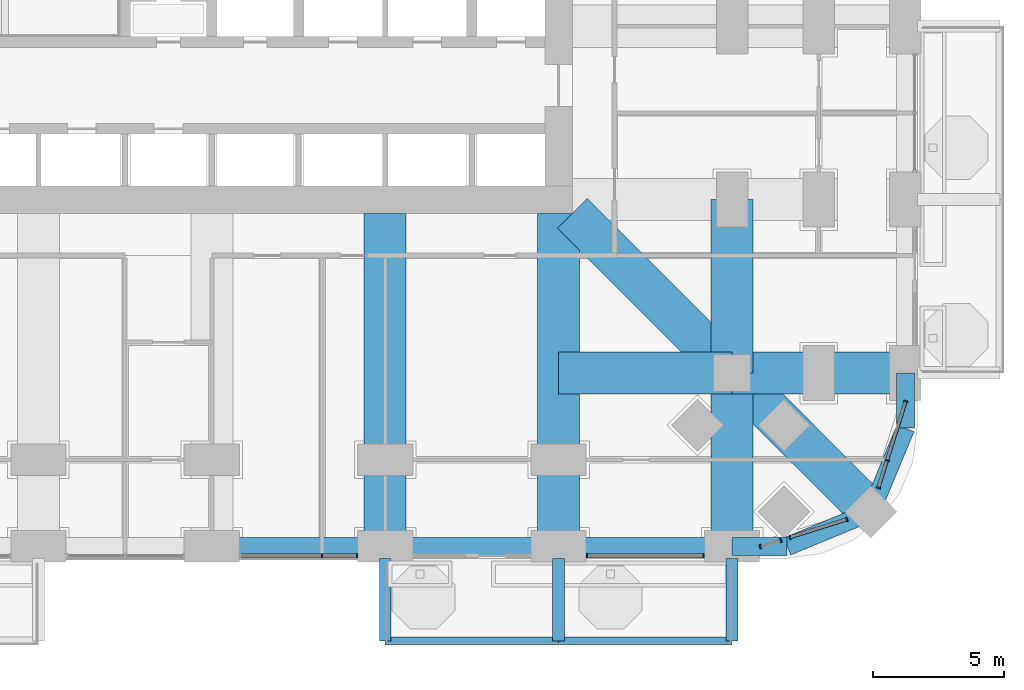
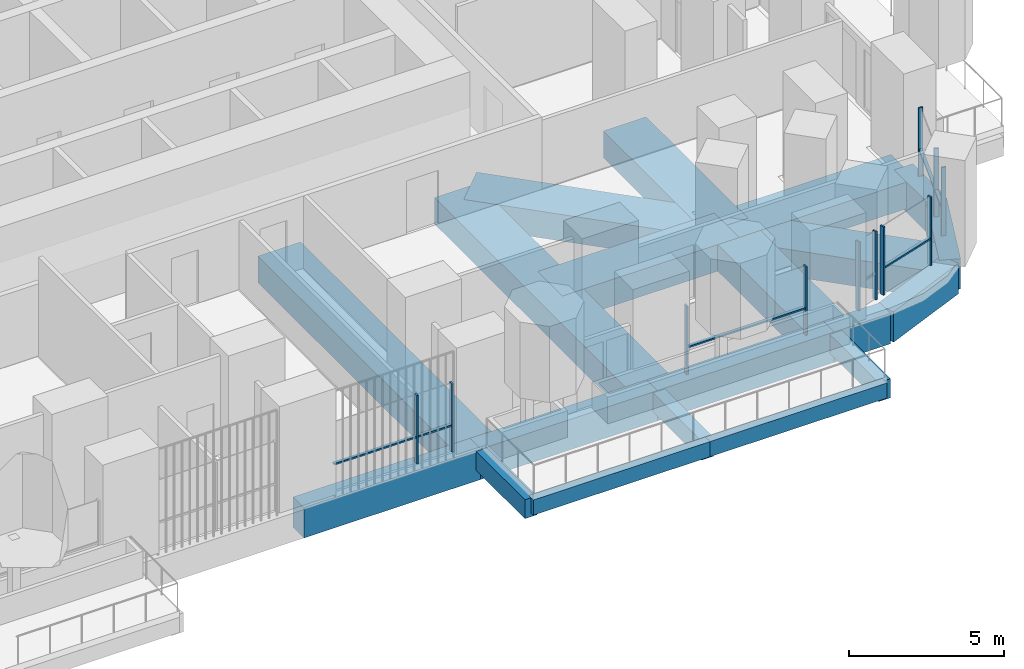
# One storey, part 5 of 27: 20 beams, 17 members, 5 elements without a shape of their own.
"""IFC4 building model written with IfcOpenShell, lengths in metres."""

from ifc_helpers import new_model, si_unit, direction, frame, origin, origin_2d, place, context, subcontext, project, spatial, rectangle, extrude, material, material_profile, profile_set, type_object, element, aggregate, save


model = new_model("IFC4")

# Units and contexts
model_context = context("Model", 3, precision=1e-05, world=origin(), true_north=direction((0.0, 1.0)))
body_context = subcontext(model_context, "Body", "Model", "MODEL_VIEW")
ifc_project = project(units=[si_unit("LENGTHUNIT", "METRE"), si_unit("AREAUNIT", "SQUARE_METRE"), si_unit("VOLUMEUNIT", "CUBIC_METRE"), si_unit("PLANEANGLEUNIT", "RADIAN"), si_unit("MASSUNIT", "GRAM", prefix="KILO")], contexts=[model_context])

# Site, building, storey
site_placement = place(None, origin())
site = spatial("IfcSite", under=ifc_project, at=site_placement, CompositionType="ELEMENT")
building_placement = place(site_placement, origin())
building = spatial("IfcBuilding", under=site, at=building_placement, Name="Cobogo Forest Laboratory Tower", CompositionType="ELEMENT")
storey_placement = place(building_placement, frame((0.0, 0.0, 54.89990234375)))
storey = spatial("IfcBuildingStorey", under=building, at=storey_placement, Name="L12", CompositionType="ELEMENT", Elevation=54.89990234375)

# Beams
ifc_material_1 = material(Name="Concrete HA-40 (C40/50)", Category="concrete")
ifc_material_profile_1 = material_profile(ifc_material_1, rectangle(XDim=0.449951171875, YDim=0.75, at=origin_2d()), Name="RC 450x750")
ifc_profile_set_1 = profile_set([ifc_material_profile_1], Name="Concrete HA-40 (C40/50)")
beam_type_1 = type_object("IfcBeamType", Name="Balcony cantilever beam 450x750", PredefinedType="BEAM", material=ifc_profile_set_1)
for number, where, z_axis, x_axis, name in (
    (1, (33.0, -0.449951171875, -0.625), (0.0, -1.0, 0.0), (1.0, 0.0, 0.0), "CB1 BAL-S2-C1 L12"),
    (2, (39.60009765625, -0.449951171875, -0.625), (0.0, -1.0, 0.0), (1.0, 0.0, 0.0), "CB1 BAL-S2-C2 L12"),
    (3, (46.199951171875, -0.449951171875, -0.625), (0.0, -1.0, 0.0), (1.0, 0.0, 0.0), "CB1 BAL-S2-C3 L12"),
):
    element("IfcBeam", number, at=place(storey_placement, frame(where, z_axis=z_axis, x_axis=x_axis)), inside=storey, type_object=beam_type_1, Name=name, PredefinedType="BEAM", context=body_context, shape_type="SweptSolid", body=[
        extrude(rectangle(XDim=0.449951171875, YDim=0.75, at=origin_2d()), origin(), (0.0, 0.0, 1.0), 3.150146484375),
    ])
ifc_material_profile_2 = material_profile(ifc_material_1, rectangle(XDim=0.300048828125, YDim=0.60009765625, at=origin_2d()), Name="RC 300x600")
ifc_profile_set_2 = profile_set([ifc_material_profile_2], Name="Concrete HA-40 (C40/50)")
beam_type_2 = type_object("IfcBeamType", Name="Balcony edge beam 300x600", PredefinedType="BEAM", material=ifc_profile_set_2)
beam_1_placement = place(storey_placement, frame((33.0, -3.60009765625, -0.5498046875), z_axis=(1.0, 0.0, 0.0), x_axis=(0.0, 1.0, 0.0)))
element("IfcBeam", 4, at=beam_1_placement, inside=storey, type_object=beam_type_2, Name="BB1 BAL-S2-T1 L12", PredefinedType="BEAM", context=body_context, shape_type="SweptSolid", body=[
    extrude(rectangle(XDim=0.300048828125, YDim=0.60009765625, at=origin_2d()), origin(), (0.0, 0.0, 1.0), 6.60009765625),
])
beam_2_placement = place(storey_placement, frame((39.60009765625, -3.60009765625, -0.5498046875), z_axis=(1.0, 0.0, 0.0), x_axis=(0.0, 1.0, 0.0)))
element("IfcBeam", 5, at=beam_2_placement, inside=storey, type_object=beam_type_2, Name="BB1 BAL-S2-T2 L12", PredefinedType="BEAM", context=body_context, shape_type="SweptSolid", body=[
    extrude(rectangle(XDim=0.300048828125, YDim=0.60009765625, at=origin_2d()), origin(), (0.0, 0.0, 1.0), 6.599853515625),
])
ifc_material_2 = material(Name="Concrete HA-50 (C50/60)", Category="concrete")
ifc_material_profile_3 = material_profile(ifc_material_2, rectangle(XDim=1.60009765625, YDim=1.050048828125, at=origin_2d()), Name="RC 1600x1050")
ifc_profile_set_3 = profile_set([ifc_material_profile_3], Name="Concrete HA-50 (C50/60)")
beam_type_3 = type_object("IfcBeamType", Name="Laboratory floor wide beam 1600x1050", PredefinedType="BEAM", material=ifc_profile_set_3)
for number, where, z_axis, x_axis, name in (
    (6, (33.0, 12.675048828125, -0.824951171875), (0.0, -1.0, 0.0), (1.0, 0.0, 0.0), "RB8 R-6-S L12"),
    (7, (39.60009765625, 12.675048828125, -0.824951171875), (0.0, -1.0, 0.0), (1.0, 0.0, 0.0), "RB8 R-7-S L12"),
):
    element("IfcBeam", number, at=place(storey_placement, frame(where, z_axis=z_axis, x_axis=x_axis)), inside=storey, type_object=beam_type_3, Name=name, PredefinedType="BEAM", context=body_context, shape_type="SweptSolid", body=[
        extrude(rectangle(XDim=1.60009765625, YDim=1.050048828125, at=origin_2d()), origin(), (0.0, 0.0, 1.0), 12.675048828125),
    ])
beam_3_placement = place(storey_placement, frame((46.199951171875, 0.0, -0.824951171875), z_axis=(0.0, 1.0, 0.0), x_axis=(-1.0, 0.0, 0.0)))
element("IfcBeam", 8, at=beam_3_placement, inside=storey, type_object=beam_type_3, Name="RB8 G-SE-XF L12", PredefinedType="BEAM", context=body_context, shape_type="SweptSolid", body=[
    extrude(rectangle(XDim=1.60009765625, YDim=1.050048828125, at=origin_2d()), origin(), (0.0, 0.0, 1.0), 6.60009765625),
])
beam_4_placement = place(storey_placement, frame((46.199951171875, 6.60009765625, -0.824951171875), z_axis=(0.0, 1.0, 0.0), x_axis=(-1.0, 0.0, 0.0)))
element("IfcBeam", 9, at=beam_4_placement, inside=storey, type_object=beam_type_3, Name="RB8 G-SE-XC L12", PredefinedType="BEAM", context=body_context, shape_type="SweptSolid", body=[
    extrude(rectangle(XDim=1.60009765625, YDim=1.050048828125, at=origin_2d()), origin(), (0.0, 0.0, 1.0), 6.599853515625),
])
beam_5_placement = place(storey_placement, frame((52.800048828125, 6.60009765625, -0.824951171875), z_axis=(-1.0, 0.0, 0.0), x_axis=(0.0, -1.0, 0.0)))
element("IfcBeam", 10, at=beam_5_placement, inside=storey, type_object=beam_type_3, Name="RB8 G-SE-YF L12", PredefinedType="BEAM", context=body_context, shape_type="SweptSolid", body=[
    extrude(rectangle(XDim=1.60009765625, YDim=1.050048828125, at=origin_2d()), origin(), (0.0, 0.0, 1.0), 6.60009765625),
])
beam_6_placement = place(storey_placement, frame((46.199951171875, 6.60009765625, -0.824951171875), z_axis=(-1.0, 0.0, 0.0), x_axis=(0.0, -1.0, 0.0)))
element("IfcBeam", 11, at=beam_6_placement, inside=storey, type_object=beam_type_3, Name="RB8 G-SE-YC L12", PredefinedType="BEAM", context=body_context, shape_type="SweptSolid", body=[
    extrude(rectangle(XDim=1.60009765625, YDim=1.050048828125, at=origin_2d()), origin(), (0.0, 0.0, 1.0), 6.599853515625),
])
beam_7_placement = place(storey_placement, frame((51.48193359375, 1.318115234375, -0.824951171875), z_axis=(-0.707106781187, 0.707106781187, 0.0), x_axis=(-0.707106781187, -0.707106781187, 0.0)))
element("IfcBeam", 12, at=beam_7_placement, inside=storey, type_object=beam_type_3, Name="RB8 G-SE-D1 L12", PredefinedType="BEAM", context=body_context, shape_type="SweptSolid", body=[
    extrude(rectangle(XDim=1.60009765625, YDim=1.050048828125, at=origin_2d()), origin(), (0.0, 0.0, 1.0), 7.469970703125),
])
beam_8_placement = place(storey_placement, frame((46.199951171875, 6.60009765625, -0.824951171875), z_axis=(-0.707106781187, 0.707106781187, 0.0), x_axis=(-0.707106781187, -0.707106781187, 0.0)))
element("IfcBeam", 13, at=beam_8_placement, inside=storey, type_object=beam_type_3, Name="RB8 G-SE-D2 L12", PredefinedType="BEAM", context=body_context, shape_type="SweptSolid", body=[
    extrude(rectangle(XDim=1.60009765625, YDim=1.050048828125, at=origin_2d()), origin(), (0.0, 0.0, 1.0), 8.59130859375),
])

# Curtain wall, members
ifc_material_3 = material(Name="Aluminium curtain wall", Category="aluminium")
curtain_wall_type = type_object("IfcCurtainWallType", Name="CW-1 unitised curtain wall, clear glazing, laboratory floors zones A and B", PredefinedType="USERDEFINED", material=ifc_material_3)
curtain_wall_1_placement = place(storey_placement, origin())
curtain_wall_1 = element("IfcCurtainWall", 14, at=curtain_wall_1_placement, inside=storey, type_object=curtain_wall_type, Name="Curtain wall 04 L12", ObjectType="UNITISED CURTAIN WALL", PredefinedType="USERDEFINED")
ifc_material_4 = material(Name="Aluminium mullion", Category="aluminium")
ifc_material_profile_4 = material_profile(ifc_material_4, rectangle(XDim=0.06005859375, YDim=0.159912109375, at=origin_2d()), Name="AL 60x160")
ifc_profile_set_4 = profile_set([ifc_material_profile_4], Name="Aluminium mullion")
member_type_1 = type_object("IfcMemberType", Name="MU-1 aluminium mullion 60x160", PredefinedType="MULLION", material=ifc_profile_set_4)
member_1_placement = place(storey_placement, frame((30.60009765625, -0.35009765625, 0.0), z_axis=(0.0, 0.0, 1.0), x_axis=(1.0, 0.0, 0.0)))
member_1 = element("IfcMember", 15, at=member_1_placement, type_object=member_type_1, Name="CW-1 mullion 2", PredefinedType="MULLION", context=body_context, shape_type="SweptSolid", body=[
    extrude(rectangle(XDim=0.06005859375, YDim=0.159912109375, at=origin_2d()), origin(), (0.0, 0.0, 1.0), 2.7001953125),
])
member_2_placement = place(storey_placement, frame((31.919921875, -0.35009765625, 0.0), z_axis=(0.0, 0.0, 1.0), x_axis=(1.0, 0.0, 0.0)))
member_2 = element("IfcMember", 16, at=member_2_placement, type_object=member_type_1, Name="CW-1 mullion 3", PredefinedType="MULLION", context=body_context, shape_type="SweptSolid", body=[
    extrude(rectangle(XDim=0.06005859375, YDim=0.159912109375, at=origin_2d()), origin(), (0.0, 0.0, 1.0), 2.7001953125),
])

curtain_wall_2_placement = place(storey_placement, origin())
curtain_wall_2 = element("IfcCurtainWall", 17, at=curtain_wall_2_placement, inside=storey, type_object=curtain_wall_type, Name="Curtain wall 06 L12", ObjectType="UNITISED CURTAIN WALL", PredefinedType="USERDEFINED")
member_3_placement = place(storey_placement, frame((40.679931640625, -0.35009765625, 0.0), z_axis=(0.0, 0.0, 1.0), x_axis=(1.0, 0.0, 0.0)))
member_3 = element("IfcMember", 18, at=member_3_placement, type_object=member_type_1, Name="CW-1 mullion 1", PredefinedType="MULLION", context=body_context, shape_type="SweptSolid", body=[
    extrude(rectangle(XDim=0.06005859375, YDim=0.159912109375, at=origin_2d()), origin(), (0.0, 0.0, 1.0), 2.7001953125),
])
member_4_placement = place(storey_placement, frame((45.1201171875, -0.35009765625, 0.0), z_axis=(0.0, 0.0, 1.0), x_axis=(1.0, 0.0, 0.0)))
member_4 = element("IfcMember", 19, at=member_4_placement, type_object=member_type_1, Name="CW-1 mullion 2", PredefinedType="MULLION", context=body_context, shape_type="SweptSolid", body=[
    extrude(rectangle(XDim=0.06005859375, YDim=0.159912109375, at=origin_2d()), origin(), (0.0, 0.0, 1.0), 2.7001953125),
])

curtain_wall_3_placement = place(storey_placement, origin())
curtain_wall_3 = element("IfcCurtainWall", 20, at=curtain_wall_3_placement, inside=storey, type_object=curtain_wall_type, Name="Curtain wall 07 L12", ObjectType="UNITISED CURTAIN WALL", PredefinedType="USERDEFINED")
member_5_placement = place(storey_placement, frame((47.278564453125, -0.00927734375, 0.0), z_axis=(0.0, 0.0, 1.0), x_axis=(0.953581504428, 0.301135043481, 0.0)))
member_5 = element("IfcMember", 21, at=member_5_placement, type_object=member_type_1, Name="CW-1 mullion 1", PredefinedType="MULLION", context=body_context, shape_type="SweptSolid", body=[
    extrude(rectangle(XDim=0.06005859375, YDim=0.159912109375, at=origin_2d()), origin(), (0.0, 0.0, 1.0), 2.7001953125),
])
member_6_placement = place(storey_placement, frame((48.05322265625, 0.2353515625, 0.0), z_axis=(0.0, 0.0, 1.0), x_axis=(0.953581504428, 0.301135043481, 0.0)))
member_6 = element("IfcMember", 22, at=member_6_placement, type_object=member_type_1, Name="CW-1 mullion 2", PredefinedType="MULLION", context=body_context, shape_type="SweptSolid", body=[
    extrude(rectangle(XDim=0.06005859375, YDim=0.159912109375, at=origin_2d()), origin(), (0.0, 0.0, 1.0), 2.7001953125),
])
aggregate(curtain_wall_3, [member_5, member_6])

curtain_wall_4_placement = place(storey_placement, origin())
curtain_wall_4 = element("IfcCurtainWall", 23, at=curtain_wall_4_placement, inside=storey, type_object=curtain_wall_type, Name="Curtain wall 08 L12", ObjectType="UNITISED CURTAIN WALL", PredefinedType="USERDEFINED")
member_7_placement = place(storey_placement, frame((48.403076171875, 0.345703125, 0.0), z_axis=(0.0, 0.0, 1.0), x_axis=(0.953581409645, 0.301135343623, 0.0)))
member_7 = element("IfcMember", 24, at=member_7_placement, type_object=member_type_1, Name="CW-1 mullion 1", PredefinedType="MULLION", context=body_context, shape_type="SweptSolid", body=[
    extrude(rectangle(XDim=0.06005859375, YDim=0.159912109375, at=origin_2d()), origin(), (0.0, 0.0, 1.0), 2.7001953125),
])
member_8_placement = place(storey_placement, frame((50.561279296875, 1.02734375, 0.0), z_axis=(0.0, 0.0, 1.0), x_axis=(0.953581409645, 0.301135343623, 0.0)))
member_8 = element("IfcMember", 25, at=member_8_placement, type_object=member_type_1, Name="CW-1 mullion 2", PredefinedType="MULLION", context=body_context, shape_type="SweptSolid", body=[
    extrude(rectangle(XDim=0.06005859375, YDim=0.159912109375, at=origin_2d()), origin(), (0.0, 0.0, 1.0), 2.7001953125),
])

curtain_wall_5_placement = place(storey_placement, origin())
curtain_wall_5 = element("IfcCurtainWall", 26, at=curtain_wall_5_placement, inside=storey, type_object=curtain_wall_type, Name="Curtain wall 09 L12", ObjectType="UNITISED CURTAIN WALL", PredefinedType="USERDEFINED")
member_9_placement = place(storey_placement, frame((51.772705078125, 2.23876953125, 0.0), z_axis=(0.0, 0.0, 1.0), x_axis=(0.30113535792, 0.95358140513, 0.0)))
member_9 = element("IfcMember", 27, at=member_9_placement, type_object=member_type_1, Name="CW-1 mullion 1", PredefinedType="MULLION", context=body_context, shape_type="SweptSolid", body=[
    extrude(rectangle(XDim=0.06005859375, YDim=0.159912109375, at=origin_2d()), origin(), (0.0, 0.0, 1.0), 2.7001953125),
])
member_10_placement = place(storey_placement, frame((52.100341796875, 3.27587890625, 0.0), z_axis=(0.0, 0.0, 1.0), x_axis=(0.30113535792, 0.95358140513, 0.0)))
member_10 = element("IfcMember", 28, at=member_10_placement, type_object=member_type_1, Name="CW-1 mullion 2", PredefinedType="MULLION", context=body_context, shape_type="SweptSolid", body=[
    extrude(rectangle(XDim=0.06005859375, YDim=0.159912109375, at=origin_2d()), origin(), (0.0, 0.0, 1.0), 2.7001953125),
])
member_11_placement = place(storey_placement, frame((52.809326171875, 5.521484375, 0.0), z_axis=(0.0, 0.0, 1.0), x_axis=(0.30113535792, 0.95358140513, 0.0)))
member_11 = element("IfcMember", 29, at=member_11_placement, type_object=member_type_1, Name="CW-1 mullion 3", PredefinedType="MULLION", context=body_context, shape_type="SweptSolid", body=[
    extrude(rectangle(XDim=0.06005859375, YDim=0.159912109375, at=origin_2d()), origin(), (0.0, 0.0, 1.0), 2.7001953125),
])

# Beams
ifc_material_profile_5 = material_profile(ifc_material_1, rectangle(XDim=0.699951171875, YDim=1.199951171875, at=origin_2d()), Name="RC 700x1200")
ifc_profile_set_5 = profile_set([ifc_material_profile_5], Name="Concrete HA-40 (C40/50)")
beam_type_4 = type_object("IfcBeamType", Name="Perimeter edge beam 700x1200", PredefinedType="BEAM", material=ifc_profile_set_5)
for number, where, z_axis, x_axis, name in (
    (30, (26.39990234375, 0.0, -0.89990234375), (1.0, 0.0, 0.0), (0.0, 1.0, 0.0), "EB1 E-S4 L12"),
    (31, (33.0, 0.0, -0.89990234375), (1.0, 0.0, 0.0), (0.0, 1.0, 0.0), "EB1 E-S5 L12"),
):
    element("IfcBeam", number, at=place(storey_placement, frame(where, z_axis=z_axis, x_axis=x_axis)), inside=storey, type_object=beam_type_4, Name=name, PredefinedType="BEAM", context=body_context, shape_type="SweptSolid", body=[
        extrude(rectangle(XDim=0.699951171875, YDim=1.199951171875, at=origin_2d()), origin(), (0.0, 0.0, 1.0), 6.60009765625),
    ])
beam_9_placement = place(storey_placement, frame((39.60009765625, 0.0, -0.89990234375), z_axis=(1.0, 0.0, 0.0), x_axis=(0.0, 1.0, 0.0)))
element("IfcBeam", 32, at=beam_9_placement, inside=storey, type_object=beam_type_4, Name="EB1 E-S6 L12", PredefinedType="BEAM", context=body_context, shape_type="SweptSolid", body=[
    extrude(rectangle(XDim=0.699951171875, YDim=1.199951171875, at=origin_2d()), origin(), (0.0, 0.0, 1.0), 6.599853515625),
])
beam_10_placement = place(storey_placement, frame((46.199951171875, 0.0, -0.89990234375), z_axis=(1.0, 0.0, 0.0), x_axis=(0.0, 1.0, 0.0)))
element("IfcBeam", 33, at=beam_10_placement, inside=storey, type_object=beam_type_4, Name="EB1 E-SES1 L12", PredefinedType="BEAM", context=body_context, shape_type="SweptSolid", body=[
    extrude(rectangle(XDim=0.699951171875, YDim=1.199951171875, at=origin_2d()), origin(), (0.0, 0.0, 1.0), 2.10009765625),
])
beam_11_placement = place(storey_placement, frame((48.300048828125, 0.0, -0.89990234375), z_axis=(0.923865631356, 0.382716990999, 0.0), x_axis=(-0.382716990999, 0.923865631356, 0.0)))
element("IfcBeam", 34, at=beam_11_placement, inside=storey, type_object=beam_type_4, Name="EB1 E-SES2 L12", PredefinedType="BEAM", context=body_context, shape_type="SweptSolid", body=[
    extrude(rectangle(XDim=0.699951171875, YDim=1.199951171875, at=origin_2d()), origin(), (0.0, 0.0, 1.0), 3.444091796875),
])
beam_12_placement = place(storey_placement, frame((52.800048828125, 6.60009765625, -0.89990234375), z_axis=(0.0, -1.0, 0.0), x_axis=(1.0, 0.0, 0.0)))
element("IfcBeam", 35, at=beam_12_placement, inside=storey, type_object=beam_type_4, Name="EB1 E-SEE1 L12", PredefinedType="BEAM", context=body_context, shape_type="SweptSolid", body=[
    extrude(rectangle(XDim=0.699951171875, YDim=1.199951171875, at=origin_2d()), origin(), (0.0, 0.0, 1.0), 2.10009765625),
])
beam_13_placement = place(storey_placement, frame((52.800048828125, 4.5, -0.89990234375), z_axis=(-0.382716990999, -0.923865631356, 0.0), x_axis=(0.923865631356, -0.382716990999, 0.0)))
element("IfcBeam", 36, at=beam_13_placement, inside=storey, type_object=beam_type_4, Name="EB1 E-SEE2 L12", PredefinedType="BEAM", context=body_context, shape_type="SweptSolid", body=[
    extrude(rectangle(XDim=0.699951171875, YDim=1.199951171875, at=origin_2d()), origin(), (0.0, 0.0, 1.0), 3.444091796875),
])

# Member
ifc_material_5 = material(Name="Aluminium transom", Category="aluminium")
ifc_material_profile_6 = material_profile(ifc_material_5, rectangle(XDim=0.1201171875, YDim=0.06005859375, at=origin_2d()), Name="AL 60x120")
ifc_profile_set_6 = profile_set([ifc_material_profile_6], Name="Aluminium transom")
member_type_2 = type_object("IfcMemberType", Name="TR-1 aluminium transom 60x120", PredefinedType="USERDEFINED", material=ifc_profile_set_6)
member_12_placement = place(storey_placement, frame((27.510009765625, -0.35009765625, 1.050048828125), z_axis=(1.0, 0.0, 0.0), x_axis=(0.0, 1.0, 0.0)))
member_12 = element("IfcMember", 37, at=member_12_placement, type_object=member_type_2, Name="CW-1 transom 1.1", ObjectType="TRANSOM", PredefinedType="USERDEFINED", context=body_context, shape_type="SweptSolid", body=[
    extrude(rectangle(XDim=0.1201171875, YDim=0.06005859375, at=origin_2d()), origin(), (0.0, 0.0, 1.0), 3.06005859375),
])

member_13_placement = place(storey_placement, frame((30.6298828125, -0.35009765625, 1.050048828125), z_axis=(1.0, 0.0, 0.0), x_axis=(0.0, 1.0, 0.0)))
member_13 = element("IfcMember", 38, at=member_13_placement, type_object=member_type_2, Name="CW-1 transom 2.1", ObjectType="TRANSOM", PredefinedType="USERDEFINED", context=body_context, shape_type="SweptSolid", body=[
    extrude(rectangle(XDim=0.1201171875, YDim=0.06005859375, at=origin_2d()), origin(), (0.0, 0.0, 1.0), 1.260009765625),
])

aggregate(curtain_wall_1, [member_1, member_2, member_12, member_13])

member_14_placement = place(storey_placement, frame((40.7099609375, -0.35009765625, 1.050048828125), z_axis=(1.0, 0.0, 0.0), x_axis=(0.0, 1.0, 0.0)))
member_14 = element("IfcMember", 39, at=member_14_placement, type_object=member_type_2, Name="CW-1 transom 1.1", ObjectType="TRANSOM", PredefinedType="USERDEFINED", context=body_context, shape_type="SweptSolid", body=[
    extrude(rectangle(XDim=0.1201171875, YDim=0.06005859375, at=origin_2d()), origin(), (0.0, 0.0, 1.0), 4.380126953125),
])

aggregate(curtain_wall_2, [member_3, member_4, member_14])

member_15_placement = place(storey_placement, frame((48.431640625, 0.354736328125, 1.050048828125), z_axis=(0.953572616955, 0.301163185322, 0.0), x_axis=(-0.301163185322, 0.953572616955, 0.0)))
member_15 = element("IfcMember", 40, at=member_15_placement, type_object=member_type_2, Name="CW-1 transom 1.1", ObjectType="TRANSOM", PredefinedType="USERDEFINED", context=body_context, shape_type="SweptSolid", body=[
    extrude(rectangle(XDim=0.1201171875, YDim=0.06005859375, at=origin_2d()), origin(), (0.0, 0.0, 1.0), 2.203369140625),
])

aggregate(curtain_wall_4, [member_7, member_8, member_15])

member_16_placement = place(storey_placement, frame((51.78173828125, 2.267333984375, 1.050048828125), z_axis=(0.301222320394, 0.953553938535, 0.0), x_axis=(-0.953553938535, 0.301222320394, 0.0)))
member_16 = element("IfcMember", 41, at=member_16_placement, type_object=member_type_2, Name="CW-1 transom 1.1", ObjectType="TRANSOM", PredefinedType="USERDEFINED", context=body_context, shape_type="SweptSolid", body=[
    extrude(rectangle(XDim=0.1201171875, YDim=0.06005859375, at=origin_2d()), origin(), (0.0, 0.0, 1.0), 1.02783203125),
])

member_17_placement = place(storey_placement, frame((52.109375, 3.304443359375, 1.050048828125), z_axis=(0.301090633022, 0.953595527835, 0.0), x_axis=(-0.953595527835, 0.301090633022, 0.0)))
member_17 = element("IfcMember", 42, at=member_17_placement, type_object=member_type_2, Name="CW-1 transom 2.1", ObjectType="TRANSOM", PredefinedType="USERDEFINED", context=body_context, shape_type="SweptSolid", body=[
    extrude(rectangle(XDim=0.1201171875, YDim=0.06005859375, at=origin_2d()), origin(), (0.0, 0.0, 1.0), 2.294677734375),
])

aggregate(curtain_wall_5, [member_9, member_10, member_11, member_16, member_17])

save(model, "model.ifc")
